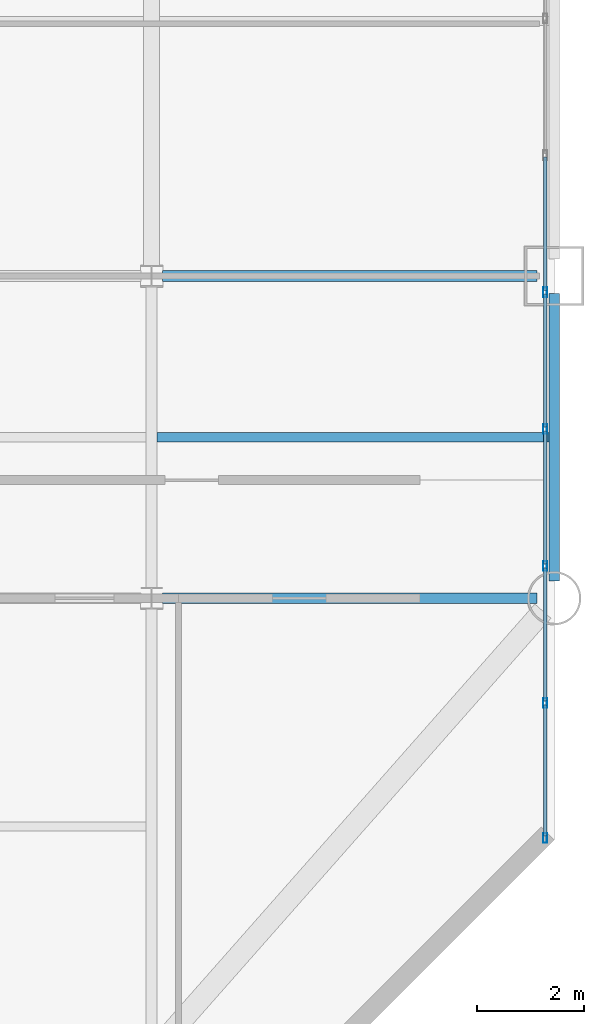
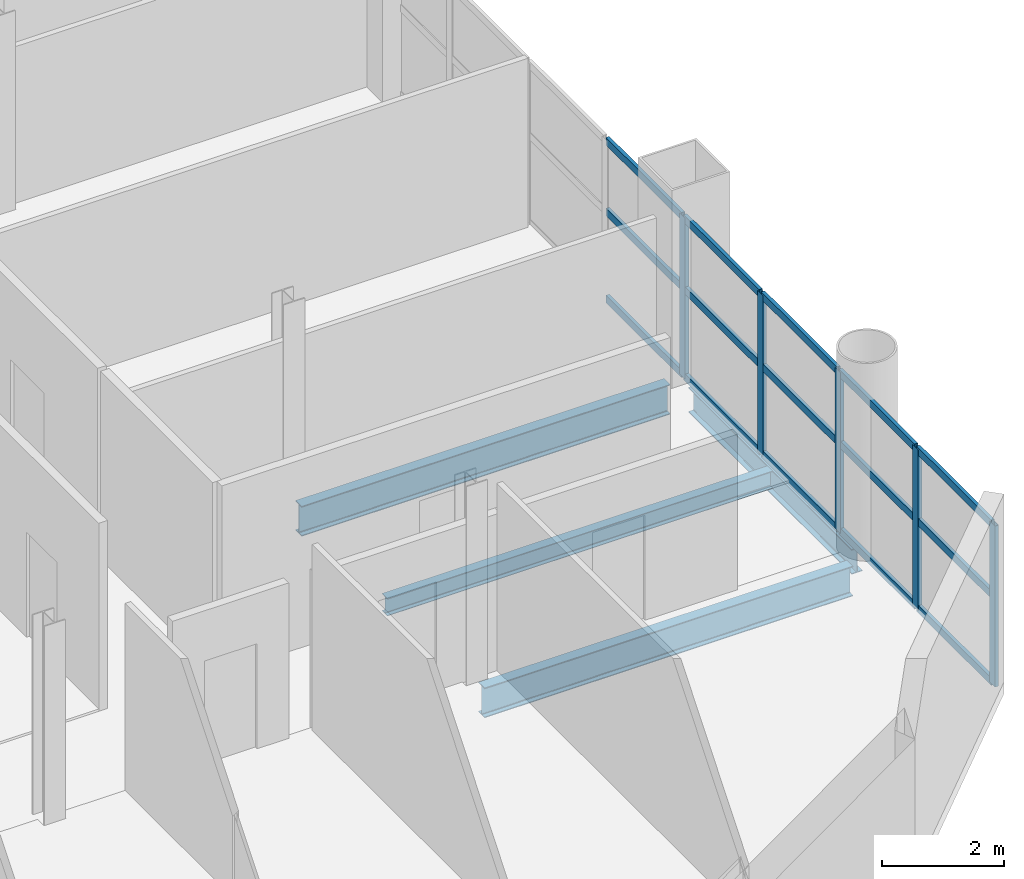
# One storey, part 5 of 16: 20 members, 4 beams, 1 element without a shape of its own.
"""IFC4 building model written with IfcOpenShell, lengths in metres."""

import ifcopenshell
import ifcopenshell.guid

model = None  # the IFC model being written
_history = None  # IfcOwnerHistory: only IFC2X3 demands one
_inside = {}  # id of a spatial element -> (the spatial element, [elements in it])
_under = {}  # id of a project, library or spatial element -> (it, [spatial elements below it])
_declared = {}  # id of a project -> (the project, [libraries it declares])
_typed = {}  # id of a type object -> (the type object, [elements of that type])
_made_of = {}  # id of a material, layer set ... -> (it, [elements and type objects made of it])


def new_model(schema):
    """Start an empty IFC model of exactly this schema.

    Asked for "IFC4X3", IfcOpenShell would pick the latest addendum, in which some entities
    have other attributes; the version numbers below select the first issue.
    IFC2X3 requires an IfcOwnerHistory on every rooted entity: one is made here for all.
    """
    global model, _history
    if schema == "IFC4X3":
        model = ifcopenshell.file(schema_version=(4, 3, 0, 0))
    else:
        model = ifcopenshell.file(schema=schema)
    _inside.clear()
    _under.clear()
    _declared.clear()
    _typed.clear()
    _made_of.clear()
    _history = None
    if model.schema == "IFC2X3":
        org = make("IfcOrganization", Name="unknown")
        user = make(
            "IfcPersonAndOrganization",
            ThePerson=make("IfcPerson", FamilyName="unknown"),
            TheOrganization=org,
        )
        app = make(
            "IfcApplication",
            ApplicationDeveloper=org,
            Version="unknown",
            ApplicationFullName="unknown",
            ApplicationIdentifier="unknown",
        )
        _history = make(
            "IfcOwnerHistory",
            OwningUser=user,
            OwningApplication=app,
            ChangeAction="ADDED",
            CreationDate=0,
        )
    return model


def make(cls, **values):
    """One entity of the class cls with the attributes given. An attribute that is None is left unset."""
    return model.create_entity(
        cls, **{name: value for name, value in values.items() if value is not None}
    )


def rooted(cls, **values):
    """An entity with a GlobalId (a new one), such as an element, a storey or a relation."""
    return make(cls, GlobalId=ifcopenshell.guid.new(), OwnerHistory=_history, **values)


def si_unit(unit_type, name, prefix=None):
    """IfcSIUnit, for example si_unit("LENGTHUNIT", "METRE", prefix="MILLI")."""
    return make("IfcSIUnit", UnitType=unit_type, Prefix=prefix, Name=name)


def assignment(units):
    """IfcUnitAssignment: the units of a project."""
    return None if units is None else make("IfcUnitAssignment", Units=units)


def point(xyz):
    """IfcCartesianPoint."""
    return None if xyz is None else make("IfcCartesianPoint", Coordinates=xyz)


def direction(xyz):
    """IfcDirection."""
    return None if xyz is None else make("IfcDirection", DirectionRatios=xyz)


def frame(location, z_axis=None, x_axis=None):
    """IfcAxis2Placement3D, a coordinate frame: its origin and axes. An axis left out is left unset."""
    return make(
        "IfcAxis2Placement3D",
        Location=point(location),
        Axis=direction(z_axis),
        RefDirection=direction(x_axis),
    )


def frame_2d(location, x_axis=None):
    """IfcAxis2Placement2D, a coordinate frame in the plane: its origin and x axis."""
    return make(
        "IfcAxis2Placement2D", Location=point(location), RefDirection=direction(x_axis)
    )


def origin():
    """The frame at (0, 0, 0) with its axes left unset."""
    return frame((0.0, 0.0, 0.0))


def origin_2d():
    """The frame at (0, 0) in the plane with its x axis left unset."""
    return frame_2d((0.0, 0.0))


def place(relative_to, where):
    """IfcLocalPlacement: puts the frame where relative to a parent placement (None: the world)."""
    return make(
        "IfcLocalPlacement", PlacementRelTo=relative_to, RelativePlacement=where
    )


def context(
    kind, dimensions, precision=None, world=None, true_north=None, identifier=None
):
    """IfcGeometricRepresentationContext, for example the 3D "Model" context."""
    return make(
        "IfcGeometricRepresentationContext",
        ContextIdentifier=identifier,
        ContextType=kind,
        CoordinateSpaceDimension=dimensions,
        Precision=precision,
        WorldCoordinateSystem=world,
        TrueNorth=true_north,
    )


def subcontext(parent, identifier, kind, view, scale=None):
    """IfcGeometricRepresentationSubContext, for example "Body" below "Model"."""
    return make(
        "IfcGeometricRepresentationSubContext",
        ContextIdentifier=identifier,
        ContextType=kind,
        ParentContext=parent,
        TargetScale=scale,
        TargetView=view,
    )


def project(units=None, contexts=None):
    """IfcProject with its units and contexts."""
    return rooted(
        "IfcProject",
        Name="project",
        RepresentationContexts=contexts,
        UnitsInContext=assignment(units),
    )


def spatial(cls, under=None, at=None, **own):
    """A site, building, storey or space (cls), placed at a placement, below another one or the project."""
    s = rooted(cls, ObjectPlacement=at, **own)
    if under is not None:
        _under.setdefault(under.id(), (under, []))[1].append(s)
    return s


def profile(cls, at=None, kind="AREA", **sizes):
    """A parametric profile (cls). Its sizes go by their IFC names, for example OverallWidth=200.0."""
    return make(cls, ProfileType=kind, Position=at, **sizes)


def hollow_rectangle(**sizes):
    """IfcRectangleHollowProfileDef."""
    return profile("IfcRectangleHollowProfileDef", **sizes)


def i_section(**sizes):
    """IfcIShapeProfileDef."""
    return profile("IfcIShapeProfileDef", **sizes)


def extrude(swept, where, along, depth):
    """IfcExtrudedAreaSolid: the profile swept, set in the frame where, extruded along a direction by depth."""
    return make(
        "IfcExtrudedAreaSolid",
        SweptArea=swept,
        Position=where,
        ExtrudedDirection=direction(along),
        Depth=depth,
    )


def shape(context_of_items, identifier, shape_type, items):
    """IfcShapeRepresentation: the items that make up one representation, for example the "Body"."""
    return make(
        "IfcShapeRepresentation",
        ContextOfItems=context_of_items,
        RepresentationIdentifier=identifier,
        RepresentationType=shape_type,
        Items=items,
    )


def material(Name=None, Category=None):
    """IfcMaterial."""
    return make("IfcMaterial", Name=Name, Category=Category)


def layer(
    of_material, thickness, ventilated=None, Name=None, Category=None, Priority=None
):
    """IfcMaterialLayer: one layer of a wall or slab, of a material (None: an air gap)."""
    return make(
        "IfcMaterialLayer",
        Material=of_material,
        LayerThickness=thickness,
        IsVentilated=ventilated,
        Name=Name,
        Category=Category,
        Priority=Priority,
    )


def layer_set(layers, Name=None):
    """IfcMaterialLayerSet."""
    return make("IfcMaterialLayerSet", MaterialLayers=layers, LayerSetName=Name)


def material_profile(
    of_material, cross_section, Name=None, Category=None, Priority=None
):
    """IfcMaterialProfile: a cross section and its material."""
    return make(
        "IfcMaterialProfile",
        Name=Name,
        Material=of_material,
        Profile=cross_section,
        Priority=Priority,
        Category=Category,
    )


def profile_set(profiles, Name=None, composite=None):
    """IfcMaterialProfileSet."""
    return make(
        "IfcMaterialProfileSet",
        Name=Name,
        MaterialProfiles=profiles,
        CompositeProfile=composite,
    )


def made_of(thing, what):
    """Note that an element or type object is made of a material, layer set ...; save() writes the relation."""
    if what is not None:
        _made_of.setdefault(what.id(), (what, []))[1].append(thing)
    return thing


def type_object(cls, material=None, **own):
    """A type object (cls), such as IfcWallType, which elements share."""
    return made_of(rooted(cls, **own), material)


def element(
    cls,
    number,
    at=None,
    inside=None,
    cuts=None,
    type_object=None,
    material=None,
    context=None,
    identifier="Body",
    shape_type=None,
    held_by="IfcProductDefinitionShape",
    body=None,
    shapes=None,
    **own,
):
    """One element of the class cls, such as IfcWall. Its Tag is "e" and its number.

    at: its placement. inside: the storey or other place that contains it. cuts: it is an
    opening in that element (IfcRelVoidsElement). A single representation is given by context,
    identifier, shape_type and body (its items); several are given by shapes. held_by: the class
    of the entity that holds the representations. save() writes the other relations.
    """
    e = rooted(cls, Tag="e%d" % number, ObjectPlacement=at, **own)
    if body is not None:
        shapes = [shape(context, identifier, shape_type, body)]
    if shapes is not None:
        e.Representation = make(held_by, Representations=shapes)
    if inside is not None:
        _inside.setdefault(inside.id(), (inside, []))[1].append(e)
    if cuts is not None:
        rooted(
            "IfcRelVoidsElement", RelatingBuildingElement=cuts, RelatedOpeningElement=e
        )
    if type_object is not None:
        _typed.setdefault(type_object.id(), (type_object, []))[1].append(e)
    return made_of(e, material)


def aggregate(whole, parts):
    """IfcRelAggregates: a whole, such as a stair, and the parts it consists of."""
    return rooted("IfcRelAggregates", RelatingObject=whole, RelatedObjects=parts)


def save(model, path):
    """Write the relations noted so far, then the file.

    IfcRelAggregates (storeys below a building ...), IfcRelContainedInSpatialStructure (elements
    in a storey), IfcRelDefinesByType, IfcRelAssociatesMaterial and IfcRelDeclares: one each for
    every whole, place, type object, material and project.
    """
    for whole, parts in _under.values():
        aggregate(whole, parts)
    for where, things in _inside.values():
        rooted(
            "IfcRelContainedInSpatialStructure",
            RelatedElements=things,
            RelatingStructure=where,
        )
    for kind, things in _typed.values():
        rooted("IfcRelDefinesByType", RelatedObjects=things, RelatingType=kind)
    for what, things in _made_of.values():
        rooted("IfcRelAssociatesMaterial", RelatedObjects=things, RelatingMaterial=what)
    for by, libraries in _declared.values():
        rooted("IfcRelDeclares", RelatingContext=by, RelatedDefinitions=libraries)
    model.write(path)


model = new_model("IFC4")

# Units and contexts
model_context = context("Model", 3, precision=1e-05, world=origin(), true_north=direction((0.0, 1.0)))
body_context = subcontext(model_context, "Body", "Model", "MODEL_VIEW")
ifc_project = project(units=[si_unit("LENGTHUNIT", "METRE"), si_unit("AREAUNIT", "SQUARE_METRE"), si_unit("VOLUMEUNIT", "CUBIC_METRE"), si_unit("PLANEANGLEUNIT", "RADIAN"), si_unit("MASSUNIT", "GRAM", prefix="KILO")], contexts=[model_context])

# Site, building, storey
site_placement = place(None, origin())
site = spatial("IfcSite", under=ifc_project, at=site_placement, CompositionType="ELEMENT")
building_placement = place(site_placement, origin())
building = spatial("IfcBuilding", under=site, at=building_placement, Name="Qianrong Seaharbour Tower", CompositionType="ELEMENT")
storey_placement = place(building_placement, frame((0.0, 0.0, 123.0)))
storey = spatial("IfcBuildingStorey", under=building, at=storey_placement, Name="L29", CompositionType="ELEMENT", Elevation=123.0)

# Beams
ifc_material_1 = material(Name="Structural steel SN490B", Category="steel")
ifc_material_profile_1 = material_profile(ifc_material_1, i_section(OverallWidth=0.199951171875, OverallDepth=0.60009765625, WebThickness=0.010986328125, FlangeThickness=0.01708984375, FilletRadius=0.02197265625, at=origin_2d()), Name="H600x200x11x17")
ifc_profile_set_1 = profile_set([ifc_material_profile_1], Name="Structural steel SN490B")
beam_type_1 = type_object("IfcBeamType", Name="BM-G-600", PredefinedType="BEAM", material=ifc_profile_set_1)
for number, where, z_axis, x_axis, name in (
    (1, (56.699951171875, 12.5, -0.534912109375), (1.0, 0.0, 0.0), (0.0, 1.0, 0.0), "L29 Primary Girder GC G8-G9"),
    (2, (56.699951171875, 18.5, -0.534912109375), (1.0, 0.0, 0.0), (0.0, 1.0, 0.0), "L29 Primary Girder GD G8-G9"),
):
    element("IfcBeam", number, at=place(storey_placement, frame(where, z_axis=z_axis, x_axis=x_axis)), inside=storey, type_object=beam_type_1, Name=name, PredefinedType="BEAM", context=body_context, shape_type="SweptSolid", body=[
        extrude(i_section(OverallWidth=0.199951171875, OverallDepth=0.60009765625, WebThickness=0.010986328125, FlangeThickness=0.01708984375, FilletRadius=0.02197265625, at=origin_2d()), origin(), (0.0, 0.0, 1.0), 6.97998046875),
    ])
ifc_material_2 = material(Name="Structural steel SN400B", Category="steel")
ifc_material_profile_2 = material_profile(ifc_material_2, i_section(OverallWidth=0.175048828125, OverallDepth=0.35009765625, WebThickness=0.007080078125, FlangeThickness=0.010986328125, FilletRadius=0.013916015625, at=origin_2d()), Name="H350x175x7x11")
ifc_profile_set_2 = profile_set([ifc_material_profile_2], Name="Structural steel SN400B")
beam_type_2 = type_object("IfcBeamType", Name="BM-J-350", PredefinedType="JOIST", material=ifc_profile_set_2)
beam_1_placement = place(storey_placement, frame((56.60009765625, 15.5, -0.409912109375), z_axis=(1.0, 0.0, 0.0), x_axis=(0.0, 1.0, 0.0)))
element("IfcBeam", 3, at=beam_1_placement, inside=storey, type_object=beam_type_2, Name="L29 Composite Floor Joist G8-G9/GC-GD", PredefinedType="JOIST", context=body_context, shape_type="SweptSolid", body=[
    extrude(i_section(OverallWidth=0.175048828125, OverallDepth=0.35009765625, WebThickness=0.007080078125, FlangeThickness=0.010986328125, FilletRadius=0.013916015625, at=origin_2d()), origin(), (0.0, 0.0, 1.0), 7.2998046875),
])
ifc_material_profile_3 = material_profile(ifc_material_1, i_section(OverallWidth=0.199951171875, OverallDepth=0.5, WebThickness=0.010009765625, FlangeThickness=0.01611328125, FilletRadius=0.02001953125, at=origin_2d()), Name="H500x200x10x16")
ifc_profile_set_3 = profile_set([ifc_material_profile_3], Name="Structural steel SN490B")
beam_type_3 = type_object("IfcBeamType", Name="BM-SP-500", PredefinedType="SPANDREL", material=ifc_profile_set_3)
beam_2_placement = place(storey_placement, frame((64.0, 12.820068359375, -0.485107421875), z_axis=(0.0, 1.0, 0.0), x_axis=(-1.0, 0.0, 0.0)))
element("IfcBeam", 4, at=beam_2_placement, inside=storey, type_object=beam_type_3, Name="L29 Spandrel Girder G9 GC-GD", PredefinedType="SPANDREL", context=body_context, shape_type="SweptSolid", body=[
    extrude(i_section(OverallWidth=0.199951171875, OverallDepth=0.5, WebThickness=0.010009765625, FlangeThickness=0.01611328125, FilletRadius=0.02001953125, at=origin_2d()), origin(), (0.0, 0.0, 1.0), 5.35986328125),
])

# Curtain wall, members
ifc_material_3 = material(Name="Anodised aluminium 6063-T6 and laminated low-e glass", Category="aluminium")
ifc_layer = layer(ifc_material_3, 0.195068359375)
ifc_layer_set = layer_set([ifc_layer], Name="Anodised aluminium 6063-T6 and laminated low-e glass")
curtain_wall_type = type_object("IfcCurtainWallType", Name="CW-SYS-3", PredefinedType="NOTDEFINED", material=ifc_layer_set)
curtain_wall_placement = place(storey_placement, origin())
curtain_wall = element("IfcCurtainWall", 5, at=curtain_wall_placement, inside=storey, type_object=curtain_wall_type, Name="L29 Sky-Garden Wintergarden Curtain Wall EAST_WING", PredefinedType="NOTDEFINED")
ifc_material_4 = material(Name="Extruded aluminium 6063-T6", Category="aluminium")
ifc_material_profile_4 = material_profile(ifc_material_4, hollow_rectangle(XDim=0.070068359375, YDim=0.179931640625, WallThickness=0.00390625, at=origin_2d()), Name="ALU-MUL-180x70x4")
ifc_profile_set_4 = profile_set([ifc_material_profile_4], Name="Extruded aluminium 6063-T6")
member_type_1 = type_object("IfcMemberType", Name="CW-MUL-180", PredefinedType="MULLION", material=ifc_profile_set_4)
member_1_placement = place(storey_placement, frame((63.830078125, 18.199951171875, 0.0), z_axis=(0.0, 0.0, 1.0), x_axis=(1.0, 0.0, 0.0)))
member_1 = element("IfcMember", 6, at=member_1_placement, type_object=member_type_1, Name="CW-3 mullion 8", PredefinedType="MULLION", context=body_context, shape_type="SweptSolid", body=[
    extrude(hollow_rectangle(XDim=0.070068359375, YDim=0.179931640625, WallThickness=0.00390625, at=origin_2d()), origin(), (0.0, 0.0, 1.0), 3.22509765625),
])
member_2_placement = place(storey_placement, frame((63.830078125, 15.64990234375, 0.0), z_axis=(0.0, 0.0, 1.0), x_axis=(1.0, 0.0, 0.0)))
member_2 = element("IfcMember", 7, at=member_2_placement, type_object=member_type_1, Name="CW-3 mullion 9", PredefinedType="MULLION", context=body_context, shape_type="SweptSolid", body=[
    extrude(hollow_rectangle(XDim=0.070068359375, YDim=0.179931640625, WallThickness=0.00390625, at=origin_2d()), origin(), (0.0, 0.0, 1.0), 3.22509765625),
])
member_3_placement = place(storey_placement, frame((63.830078125, 13.10009765625, 0.0), z_axis=(0.0, 0.0, 1.0), x_axis=(1.0, 0.0, 0.0)))
member_3 = element("IfcMember", 8, at=member_3_placement, type_object=member_type_1, Name="CW-3 mullion 10", PredefinedType="MULLION", context=body_context, shape_type="SweptSolid", body=[
    extrude(hollow_rectangle(XDim=0.070068359375, YDim=0.179931640625, WallThickness=0.00390625, at=origin_2d()), origin(), (0.0, 0.0, 1.0), 3.22509765625),
])
member_4_placement = place(storey_placement, frame((63.830078125, 10.550048828125, 0.0), z_axis=(0.0, 0.0, 1.0), x_axis=(1.0, 0.0, 0.0)))
member_4 = element("IfcMember", 9, at=member_4_placement, type_object=member_type_1, Name="CW-3 mullion 11", PredefinedType="MULLION", context=body_context, shape_type="SweptSolid", body=[
    extrude(hollow_rectangle(XDim=0.070068359375, YDim=0.179931640625, WallThickness=0.00390625, at=origin_2d()), origin(), (0.0, 0.0, 1.0), 3.22509765625),
])
member_5_placement = place(storey_placement, frame((63.830078125, 8.034912109375, 0.0), z_axis=(0.0, 0.0, 1.0), x_axis=(1.0, 0.0, 0.0)))
member_5 = element("IfcMember", 10, at=member_5_placement, type_object=member_type_1, Name="CW-3 mullion 12", PredefinedType="MULLION", context=body_context, shape_type="SweptSolid", body=[
    extrude(hollow_rectangle(XDim=0.070068359375, YDim=0.179931640625, WallThickness=0.00390625, at=origin_2d()), origin(), (0.0, 0.0, 1.0), 3.22509765625),
])
ifc_material_profile_5 = material_profile(ifc_material_4, hollow_rectangle(XDim=0.06494140625, YDim=0.14990234375, WallThickness=0.00390625, at=origin_2d()), Name="ALU-TRN-150x65x4")
ifc_profile_set_5 = profile_set([ifc_material_profile_5], Name="Extruded aluminium 6063-T6")
member_type_2 = type_object("IfcMemberType", Name="CW-TRN-150", PredefinedType="USERDEFINED", material=ifc_profile_set_5)
member_6_placement = place(storey_placement, frame((63.830078125, 20.715087890625, 0.032470703125), z_axis=(0.0, -1.0, 0.0), x_axis=(1.0, 0.0, 0.0)))
member_6 = element("IfcMember", 11, at=member_6_placement, type_object=member_type_2, Name="CW-3 transom 7.1", ObjectType="TRANSOM", PredefinedType="USERDEFINED", context=body_context, shape_type="SweptSolid", body=[
    extrude(hollow_rectangle(XDim=0.06494140625, YDim=0.14990234375, WallThickness=0.00390625, at=origin_2d()), origin(), (0.0, 0.0, 1.0), 2.47998046875),
])
member_7_placement = place(storey_placement, frame((63.830078125, 20.715087890625, 1.773681640625), z_axis=(0.0, -1.0, 0.0), x_axis=(1.0, 0.0, 0.0)))
member_7 = element("IfcMember", 12, at=member_7_placement, type_object=member_type_2, Name="CW-3 transom 7.2", ObjectType="TRANSOM", PredefinedType="USERDEFINED", context=body_context, shape_type="SweptSolid", body=[
    extrude(hollow_rectangle(XDim=0.06494140625, YDim=0.14990234375, WallThickness=0.00390625, at=origin_2d()), origin(), (0.0, 0.0, 1.0), 2.47998046875),
])
member_8_placement = place(storey_placement, frame((63.830078125, 20.715087890625, 3.1923828125), z_axis=(0.0, -1.0, 0.0), x_axis=(1.0, 0.0, 0.0)))
member_8 = element("IfcMember", 13, at=member_8_placement, type_object=member_type_2, Name="CW-3 transom 7.3", ObjectType="TRANSOM", PredefinedType="USERDEFINED", context=body_context, shape_type="SweptSolid", body=[
    extrude(hollow_rectangle(XDim=0.06494140625, YDim=0.14990234375, WallThickness=0.00390625, at=origin_2d()), origin(), (0.0, 0.0, 1.0), 2.47998046875),
])
member_9_placement = place(storey_placement, frame((63.830078125, 18.1650390625, 0.032470703125), z_axis=(0.0, -1.0, 0.0), x_axis=(1.0, 0.0, 0.0)))
member_9 = element("IfcMember", 14, at=member_9_placement, type_object=member_type_2, Name="CW-3 transom 8.1", ObjectType="TRANSOM", PredefinedType="USERDEFINED", context=body_context, shape_type="SweptSolid", body=[
    extrude(hollow_rectangle(XDim=0.06494140625, YDim=0.14990234375, WallThickness=0.00390625, at=origin_2d()), origin(), (0.0, 0.0, 1.0), 2.47998046875),
])
member_10_placement = place(storey_placement, frame((63.830078125, 18.1650390625, 1.773681640625), z_axis=(0.0, -1.0, 0.0), x_axis=(1.0, 0.0, 0.0)))
member_10 = element("IfcMember", 15, at=member_10_placement, type_object=member_type_2, Name="CW-3 transom 8.2", ObjectType="TRANSOM", PredefinedType="USERDEFINED", context=body_context, shape_type="SweptSolid", body=[
    extrude(hollow_rectangle(XDim=0.06494140625, YDim=0.14990234375, WallThickness=0.00390625, at=origin_2d()), origin(), (0.0, 0.0, 1.0), 2.47998046875),
])
member_11_placement = place(storey_placement, frame((63.830078125, 18.1650390625, 3.1923828125), z_axis=(0.0, -1.0, 0.0), x_axis=(1.0, 0.0, 0.0)))
member_11 = element("IfcMember", 16, at=member_11_placement, type_object=member_type_2, Name="CW-3 transom 8.3", ObjectType="TRANSOM", PredefinedType="USERDEFINED", context=body_context, shape_type="SweptSolid", body=[
    extrude(hollow_rectangle(XDim=0.06494140625, YDim=0.14990234375, WallThickness=0.00390625, at=origin_2d()), origin(), (0.0, 0.0, 1.0), 2.47998046875),
])
member_12_placement = place(storey_placement, frame((63.830078125, 15.614990234375, 0.032470703125), z_axis=(0.0, -1.0, 0.0), x_axis=(1.0, 0.0, 0.0)))
member_12 = element("IfcMember", 17, at=member_12_placement, type_object=member_type_2, Name="CW-3 transom 9.1", ObjectType="TRANSOM", PredefinedType="USERDEFINED", context=body_context, shape_type="SweptSolid", body=[
    extrude(hollow_rectangle(XDim=0.06494140625, YDim=0.14990234375, WallThickness=0.00390625, at=origin_2d()), origin(), (0.0, 0.0, 1.0), 2.47998046875),
])
member_13_placement = place(storey_placement, frame((63.830078125, 15.614990234375, 1.773681640625), z_axis=(0.0, -1.0, 0.0), x_axis=(1.0, 0.0, 0.0)))
member_13 = element("IfcMember", 18, at=member_13_placement, type_object=member_type_2, Name="CW-3 transom 9.2", ObjectType="TRANSOM", PredefinedType="USERDEFINED", context=body_context, shape_type="SweptSolid", body=[
    extrude(hollow_rectangle(XDim=0.06494140625, YDim=0.14990234375, WallThickness=0.00390625, at=origin_2d()), origin(), (0.0, 0.0, 1.0), 2.47998046875),
])
member_14_placement = place(storey_placement, frame((63.830078125, 15.614990234375, 3.1923828125), z_axis=(0.0, -1.0, 0.0), x_axis=(1.0, 0.0, 0.0)))
member_14 = element("IfcMember", 19, at=member_14_placement, type_object=member_type_2, Name="CW-3 transom 9.3", ObjectType="TRANSOM", PredefinedType="USERDEFINED", context=body_context, shape_type="SweptSolid", body=[
    extrude(hollow_rectangle(XDim=0.06494140625, YDim=0.14990234375, WallThickness=0.00390625, at=origin_2d()), origin(), (0.0, 0.0, 1.0), 2.47998046875),
])
member_15_placement = place(storey_placement, frame((63.830078125, 13.06494140625, 0.032470703125), z_axis=(0.0, -1.0, 0.0), x_axis=(1.0, 0.0, 0.0)))
member_15 = element("IfcMember", 20, at=member_15_placement, type_object=member_type_2, Name="CW-3 transom 10.1", ObjectType="TRANSOM", PredefinedType="USERDEFINED", context=body_context, shape_type="SweptSolid", body=[
    extrude(hollow_rectangle(XDim=0.06494140625, YDim=0.14990234375, WallThickness=0.00390625, at=origin_2d()), origin(), (0.0, 0.0, 1.0), 2.47998046875),
])
member_16_placement = place(storey_placement, frame((63.830078125, 13.06494140625, 1.773681640625), z_axis=(0.0, -1.0, 0.0), x_axis=(1.0, 0.0, 0.0)))
member_16 = element("IfcMember", 21, at=member_16_placement, type_object=member_type_2, Name="CW-3 transom 10.2", ObjectType="TRANSOM", PredefinedType="USERDEFINED", context=body_context, shape_type="SweptSolid", body=[
    extrude(hollow_rectangle(XDim=0.06494140625, YDim=0.14990234375, WallThickness=0.00390625, at=origin_2d()), origin(), (0.0, 0.0, 1.0), 2.47998046875),
])
member_17_placement = place(storey_placement, frame((63.830078125, 13.06494140625, 3.1923828125), z_axis=(0.0, -1.0, 0.0), x_axis=(1.0, 0.0, 0.0)))
member_17 = element("IfcMember", 22, at=member_17_placement, type_object=member_type_2, Name="CW-3 transom 10.3", ObjectType="TRANSOM", PredefinedType="USERDEFINED", context=body_context, shape_type="SweptSolid", body=[
    extrude(hollow_rectangle(XDim=0.06494140625, YDim=0.14990234375, WallThickness=0.00390625, at=origin_2d()), origin(), (0.0, 0.0, 1.0), 2.47998046875),
])
member_18_placement = place(storey_placement, frame((63.830078125, 10.514892578125, 0.032470703125), z_axis=(0.0, -1.0, 0.0), x_axis=(1.0, 0.0, 0.0)))
member_18 = element("IfcMember", 23, at=member_18_placement, type_object=member_type_2, Name="CW-3 transom 11.1", ObjectType="TRANSOM", PredefinedType="USERDEFINED", context=body_context, shape_type="SweptSolid", body=[
    extrude(hollow_rectangle(XDim=0.06494140625, YDim=0.14990234375, WallThickness=0.00390625, at=origin_2d()), origin(), (0.0, 0.0, 1.0), 2.44482421875),
])
member_19_placement = place(storey_placement, frame((63.830078125, 10.514892578125, 1.773681640625), z_axis=(0.0, -1.0, 0.0), x_axis=(1.0, 0.0, 0.0)))
member_19 = element("IfcMember", 24, at=member_19_placement, type_object=member_type_2, Name="CW-3 transom 11.2", ObjectType="TRANSOM", PredefinedType="USERDEFINED", context=body_context, shape_type="SweptSolid", body=[
    extrude(hollow_rectangle(XDim=0.06494140625, YDim=0.14990234375, WallThickness=0.00390625, at=origin_2d()), origin(), (0.0, 0.0, 1.0), 2.44482421875),
])
member_20_placement = place(storey_placement, frame((63.830078125, 10.514892578125, 3.1923828125), z_axis=(0.0, -1.0, 0.0), x_axis=(1.0, 0.0, 0.0)))
member_20 = element("IfcMember", 25, at=member_20_placement, type_object=member_type_2, Name="CW-3 transom 11.3", ObjectType="TRANSOM", PredefinedType="USERDEFINED", context=body_context, shape_type="SweptSolid", body=[
    extrude(hollow_rectangle(XDim=0.06494140625, YDim=0.14990234375, WallThickness=0.00390625, at=origin_2d()), origin(), (0.0, 0.0, 1.0), 2.44482421875),
])
aggregate(curtain_wall, [member_1, member_2, member_3, member_4, member_5, member_6, member_7, member_8, member_9, member_10, member_11, member_12, member_13, member_14, member_15, member_16, member_17, member_18, member_19, member_20])

save(model, "model.ifc")
